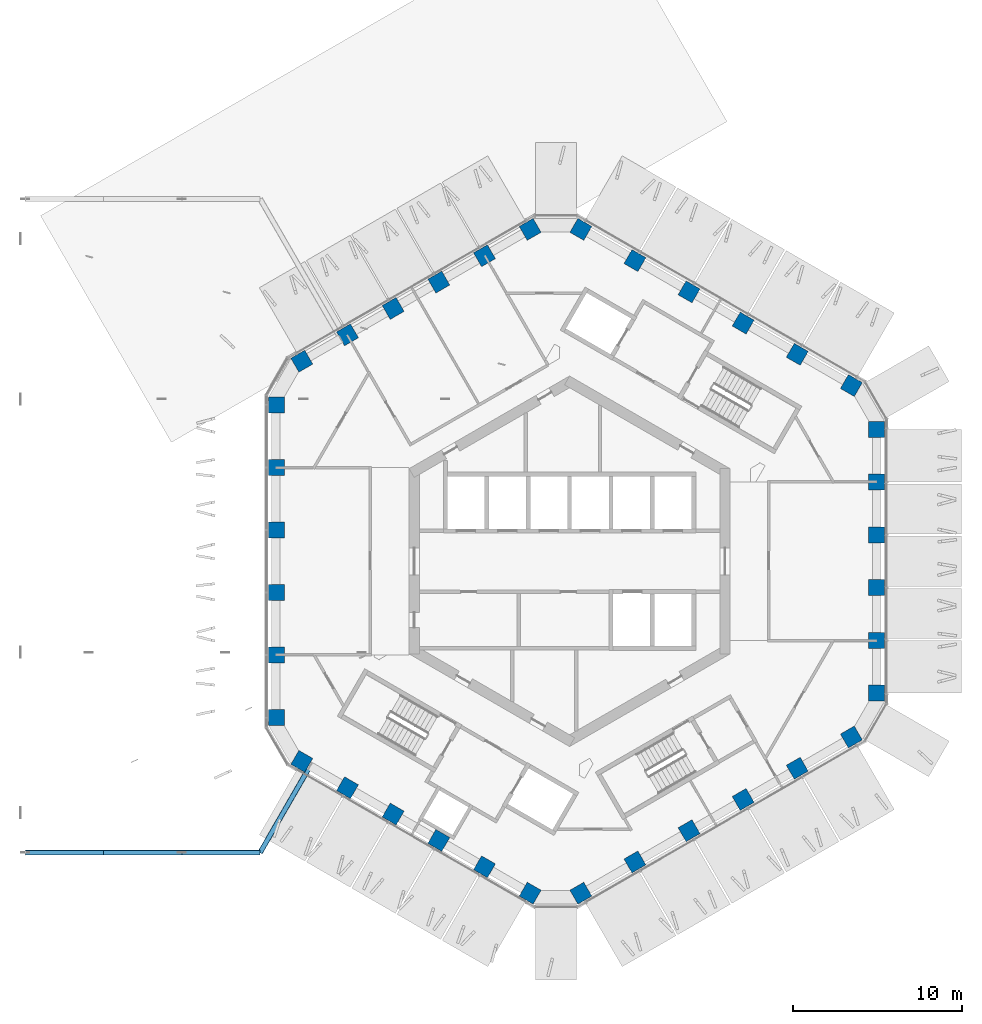
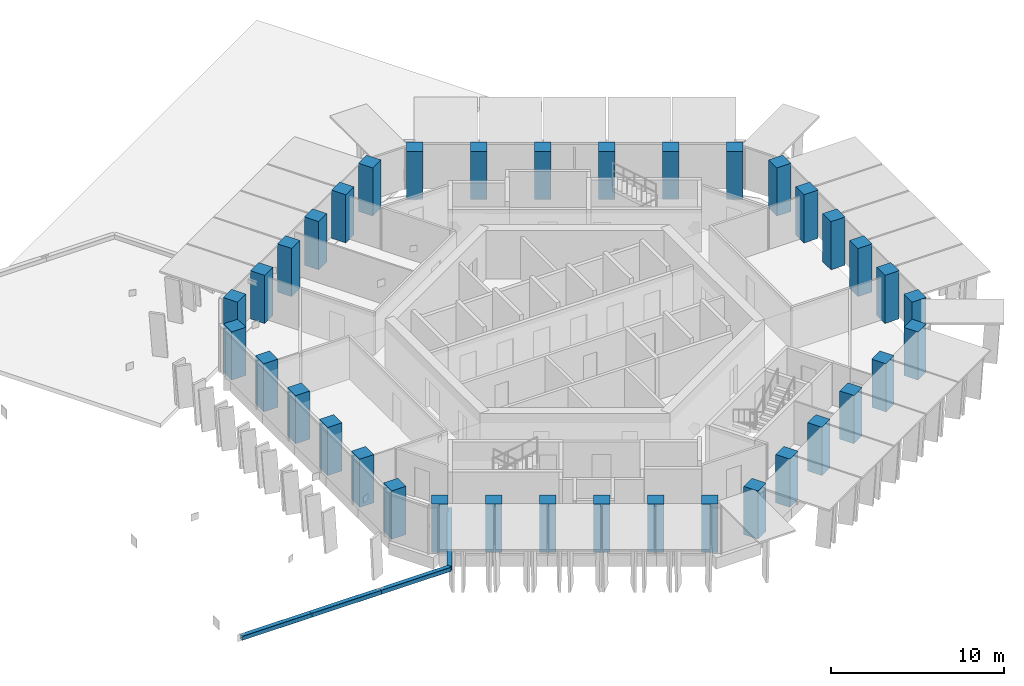
# One storey, part 1 of 23: 36 columns, 4 members.
"""IFC4 building model written with IfcOpenShell, lengths in metres."""

import ifcopenshell
import ifcopenshell.guid

model = None  # the IFC model being written
_history = None  # IfcOwnerHistory: only IFC2X3 demands one
_inside = {}  # id of a spatial element -> (the spatial element, [elements in it])
_under = {}  # id of a project, library or spatial element -> (it, [spatial elements below it])
_declared = {}  # id of a project -> (the project, [libraries it declares])
_typed = {}  # id of a type object -> (the type object, [elements of that type])
_made_of = {}  # id of a material, layer set ... -> (it, [elements and type objects made of it])


def new_model(schema):
    """Start an empty IFC model of exactly this schema.

    Asked for "IFC4X3", IfcOpenShell would pick the latest addendum, in which some entities
    have other attributes; the version numbers below select the first issue.
    IFC2X3 requires an IfcOwnerHistory on every rooted entity: one is made here for all.
    """
    global model, _history
    if schema == "IFC4X3":
        model = ifcopenshell.file(schema_version=(4, 3, 0, 0))
    else:
        model = ifcopenshell.file(schema=schema)
    _inside.clear()
    _under.clear()
    _declared.clear()
    _typed.clear()
    _made_of.clear()
    _history = None
    if model.schema == "IFC2X3":
        org = make("IfcOrganization", Name="unknown")
        user = make(
            "IfcPersonAndOrganization",
            ThePerson=make("IfcPerson", FamilyName="unknown"),
            TheOrganization=org,
        )
        app = make(
            "IfcApplication",
            ApplicationDeveloper=org,
            Version="unknown",
            ApplicationFullName="unknown",
            ApplicationIdentifier="unknown",
        )
        _history = make(
            "IfcOwnerHistory",
            OwningUser=user,
            OwningApplication=app,
            ChangeAction="ADDED",
            CreationDate=0,
        )
    return model


def make(cls, **values):
    """One entity of the class cls with the attributes given. An attribute that is None is left unset."""
    return model.create_entity(
        cls, **{name: value for name, value in values.items() if value is not None}
    )


def rooted(cls, **values):
    """An entity with a GlobalId (a new one), such as an element, a storey or a relation."""
    return make(cls, GlobalId=ifcopenshell.guid.new(), OwnerHistory=_history, **values)


def si_unit(unit_type, name, prefix=None):
    """IfcSIUnit, for example si_unit("LENGTHUNIT", "METRE", prefix="MILLI")."""
    return make("IfcSIUnit", UnitType=unit_type, Prefix=prefix, Name=name)


def assignment(units):
    """IfcUnitAssignment: the units of a project."""
    return None if units is None else make("IfcUnitAssignment", Units=units)


def point(xyz):
    """IfcCartesianPoint."""
    return None if xyz is None else make("IfcCartesianPoint", Coordinates=xyz)


def direction(xyz):
    """IfcDirection."""
    return None if xyz is None else make("IfcDirection", DirectionRatios=xyz)


def frame(location, z_axis=None, x_axis=None):
    """IfcAxis2Placement3D, a coordinate frame: its origin and axes. An axis left out is left unset."""
    return make(
        "IfcAxis2Placement3D",
        Location=point(location),
        Axis=direction(z_axis),
        RefDirection=direction(x_axis),
    )


def frame_2d(location, x_axis=None):
    """IfcAxis2Placement2D, a coordinate frame in the plane: its origin and x axis."""
    return make(
        "IfcAxis2Placement2D", Location=point(location), RefDirection=direction(x_axis)
    )


def origin():
    """The frame at (0, 0, 0) with its axes left unset."""
    return frame((0.0, 0.0, 0.0))


def origin_2d():
    """The frame at (0, 0) in the plane with its x axis left unset."""
    return frame_2d((0.0, 0.0))


def place(relative_to, where):
    """IfcLocalPlacement: puts the frame where relative to a parent placement (None: the world)."""
    return make(
        "IfcLocalPlacement", PlacementRelTo=relative_to, RelativePlacement=where
    )


def context(
    kind, dimensions, precision=None, world=None, true_north=None, identifier=None
):
    """IfcGeometricRepresentationContext, for example the 3D "Model" context."""
    return make(
        "IfcGeometricRepresentationContext",
        ContextIdentifier=identifier,
        ContextType=kind,
        CoordinateSpaceDimension=dimensions,
        Precision=precision,
        WorldCoordinateSystem=world,
        TrueNorth=true_north,
    )


def subcontext(parent, identifier, kind, view, scale=None):
    """IfcGeometricRepresentationSubContext, for example "Body" below "Model"."""
    return make(
        "IfcGeometricRepresentationSubContext",
        ContextIdentifier=identifier,
        ContextType=kind,
        ParentContext=parent,
        TargetScale=scale,
        TargetView=view,
    )


def project(units=None, contexts=None):
    """IfcProject with its units and contexts."""
    return rooted(
        "IfcProject",
        Name="project",
        RepresentationContexts=contexts,
        UnitsInContext=assignment(units),
    )


def spatial(cls, under=None, at=None, **own):
    """A site, building, storey or space (cls), placed at a placement, below another one or the project."""
    s = rooted(cls, ObjectPlacement=at, **own)
    if under is not None:
        _under.setdefault(under.id(), (under, []))[1].append(s)
    return s


def profile(cls, at=None, kind="AREA", **sizes):
    """A parametric profile (cls). Its sizes go by their IFC names, for example OverallWidth=200.0."""
    return make(cls, ProfileType=kind, Position=at, **sizes)


def rectangle(**sizes):
    """IfcRectangleProfileDef."""
    return profile("IfcRectangleProfileDef", **sizes)


def hollow_rectangle(**sizes):
    """IfcRectangleHollowProfileDef."""
    return profile("IfcRectangleHollowProfileDef", **sizes)


def extrude(swept, where, along, depth):
    """IfcExtrudedAreaSolid: the profile swept, set in the frame where, extruded along a direction by depth."""
    return make(
        "IfcExtrudedAreaSolid",
        SweptArea=swept,
        Position=where,
        ExtrudedDirection=direction(along),
        Depth=depth,
    )


def shape(context_of_items, identifier, shape_type, items):
    """IfcShapeRepresentation: the items that make up one representation, for example the "Body"."""
    return make(
        "IfcShapeRepresentation",
        ContextOfItems=context_of_items,
        RepresentationIdentifier=identifier,
        RepresentationType=shape_type,
        Items=items,
    )


def material(Name=None, Category=None):
    """IfcMaterial."""
    return make("IfcMaterial", Name=Name, Category=Category)


def material_profile(
    of_material, cross_section, Name=None, Category=None, Priority=None
):
    """IfcMaterialProfile: a cross section and its material."""
    return make(
        "IfcMaterialProfile",
        Name=Name,
        Material=of_material,
        Profile=cross_section,
        Priority=Priority,
        Category=Category,
    )


def profile_set(profiles, Name=None, composite=None):
    """IfcMaterialProfileSet."""
    return make(
        "IfcMaterialProfileSet",
        Name=Name,
        MaterialProfiles=profiles,
        CompositeProfile=composite,
    )


def made_of(thing, what):
    """Note that an element or type object is made of a material, layer set ...; save() writes the relation."""
    if what is not None:
        _made_of.setdefault(what.id(), (what, []))[1].append(thing)
    return thing


def type_object(cls, material=None, **own):
    """A type object (cls), such as IfcWallType, which elements share."""
    return made_of(rooted(cls, **own), material)


def element(
    cls,
    number,
    at=None,
    inside=None,
    cuts=None,
    type_object=None,
    material=None,
    context=None,
    identifier="Body",
    shape_type=None,
    held_by="IfcProductDefinitionShape",
    body=None,
    shapes=None,
    **own,
):
    """One element of the class cls, such as IfcWall. Its Tag is "e" and its number.

    at: its placement. inside: the storey or other place that contains it. cuts: it is an
    opening in that element (IfcRelVoidsElement). A single representation is given by context,
    identifier, shape_type and body (its items); several are given by shapes. held_by: the class
    of the entity that holds the representations. save() writes the other relations.
    """
    e = rooted(cls, Tag="e%d" % number, ObjectPlacement=at, **own)
    if body is not None:
        shapes = [shape(context, identifier, shape_type, body)]
    if shapes is not None:
        e.Representation = make(held_by, Representations=shapes)
    if inside is not None:
        _inside.setdefault(inside.id(), (inside, []))[1].append(e)
    if cuts is not None:
        rooted(
            "IfcRelVoidsElement", RelatingBuildingElement=cuts, RelatedOpeningElement=e
        )
    if type_object is not None:
        _typed.setdefault(type_object.id(), (type_object, []))[1].append(e)
    return made_of(e, material)


def aggregate(whole, parts):
    """IfcRelAggregates: a whole, such as a stair, and the parts it consists of."""
    return rooted("IfcRelAggregates", RelatingObject=whole, RelatedObjects=parts)


def save(model, path):
    """Write the relations noted so far, then the file.

    IfcRelAggregates (storeys below a building ...), IfcRelContainedInSpatialStructure (elements
    in a storey), IfcRelDefinesByType, IfcRelAssociatesMaterial and IfcRelDeclares: one each for
    every whole, place, type object, material and project.
    """
    for whole, parts in _under.values():
        aggregate(whole, parts)
    for where, things in _inside.values():
        rooted(
            "IfcRelContainedInSpatialStructure",
            RelatedElements=things,
            RelatingStructure=where,
        )
    for kind, things in _typed.values():
        rooted("IfcRelDefinesByType", RelatedObjects=things, RelatingType=kind)
    for what, things in _made_of.values():
        rooted("IfcRelAssociatesMaterial", RelatedObjects=things, RelatingMaterial=what)
    for by, libraries in _declared.values():
        rooted("IfcRelDeclares", RelatingContext=by, RelatedDefinitions=libraries)
    model.write(path)


model = new_model("IFC4")

# Units and contexts
model_context = context("Model", 3, precision=1e-05, world=origin(), true_north=direction((0.0, 1.0)))
body_context = subcontext(model_context, "Body", "Model", "MODEL_VIEW")
ifc_project = project(units=[si_unit("LENGTHUNIT", "METRE"), si_unit("AREAUNIT", "SQUARE_METRE"), si_unit("VOLUMEUNIT", "CUBIC_METRE"), si_unit("PLANEANGLEUNIT", "RADIAN"), si_unit("MASSUNIT", "GRAM", prefix="KILO")], contexts=[model_context])

# Site, building, storey
site_placement = place(None, origin())
site = spatial("IfcSite", under=ifc_project, at=site_placement, CompositionType="ELEMENT")
building_placement = place(site_placement, origin())
building = spatial("IfcBuilding", under=site, at=building_placement, Name="Ayvan Gate Tower", CompositionType="ELEMENT")
storey_placement = place(building_placement, frame((0.0, 0.0, 198.699951171875)))
storey = spatial("IfcBuildingStorey", under=building, at=storey_placement, Name="L53", CompositionType="ELEMENT", Elevation=198.699951171875)

# Columns
ifc_material_1 = material(Name="Concrete C55/67", Category="concrete")
ifc_material_profile_1 = material_profile(ifc_material_1, rectangle(XDim=0.949951171875, YDim=0.949951171875, at=origin_2d()), Name="RC 950x950")
ifc_profile_set_1 = profile_set([ifc_material_profile_1], Name="Concrete C55/67")
column_type = type_object("IfcColumnType", Name="Tube column RC 950x950 C55/67", PredefinedType="COLUMN", material=ifc_profile_set_1)
for number, where, z_axis, x_axis, name in (
    (1, (18.1865234375, -7.806640625, 0.0), (0.0, 0.0, 1.0), (1.0, 0.0, 0.0), "C-T0-0-L53"),
    (2, (18.1865234375, -4.683837890625, 0.0), (0.0, 0.0, 1.0), (1.0, 0.0, 0.0), "C-T0-1-L53"),
    (3, (18.1865234375, -1.561279296875, 0.0), (0.0, 0.0, 1.0), (1.0, 0.0, 0.0), "C-T0-2-L53"),
    (4, (18.1865234375, 1.561279296875, 0.0), (0.0, 0.0, 1.0), (1.0, 0.0, 0.0), "C-T0-3-L53"),
    (5, (18.1865234375, 4.683837890625, 0.0), (0.0, 0.0, 1.0), (1.0, 0.0, 0.0), "C-T0-4-L53"),
    (6, (18.1865234375, 7.806640625, 0.0), (0.0, 0.0, 1.0), (1.0, 0.0, 0.0), "C-T0-5-L53"),
    (7, (16.6865234375, 10.404541015625, 0.0), (0.0, 0.0, 1.0), (0.5, 0.866025403784, 0.0), "C-T1-0-L53"),
    (8, (13.482666015625, 12.25439453125, 0.0), (0.0, 0.0, 1.0), (0.5, 0.866025403784, 0.0), "C-T1-1-L53"),
    (9, (10.27880859375, 14.10400390625, 0.0), (0.0, 0.0, 1.0), (0.5, 0.866025403784, 0.0), "C-T1-2-L53"),
    (10, (7.074951171875, 15.953857421875, 0.0), (0.0, 0.0, 1.0), (0.5, 0.866025403784, 0.0), "C-T1-3-L53"),
    (11, (3.871337890625, 17.803466796875, 0.0), (0.0, 0.0, 1.0), (0.5, 0.866025403784, 0.0), "C-T1-4-L53"),
    (12, (0.66748046875, 19.6533203125, 0.0), (0.0, 0.0, 1.0), (0.5, 0.866025403784, 0.0), "C-T1-5-L53"),
    (13, (-2.33251953125, 19.6533203125, 0.0), (0.0, 0.0, 1.0), (-0.5, 0.866025403784, 0.0), "C-T2-0-L53"),
    (14, (-5.036865234375, 18.092041015625, 0.0), (0.0, 0.0, 1.0), (-0.5, 0.866025403784, 0.0), "C-T2-1-L53"),
    (15, (-7.7412109375, 16.53076171875, 0.0), (0.0, 0.0, 1.0), (-0.5, 0.866025403784, 0.0), "C-T2-2-L53"),
    (16, (-10.4453125, 14.96923828125, 0.0), (0.0, 0.0, 1.0), (-0.5, 0.866025403784, 0.0), "C-T2-3-L53"),
    (17, (-13.149658203125, 13.407958984375, 0.0), (0.0, 0.0, 1.0), (-0.5, 0.866025403784, 0.0), "C-T2-4-L53"),
    (18, (-15.85400390625, 11.8466796875, 0.0), (0.0, 0.0, 1.0), (-0.5, 0.866025403784, 0.0), "C-T2-5-L53"),
    (19, (-17.35400390625, 9.24853515625, 0.0), (0.0, 0.0, 1.0), (-1.0, 0.0, 0.0), "C-T3-0-L53"),
    (20, (-17.35400390625, 5.549072265625, 0.0), (0.0, 0.0, 1.0), (-1.0, 0.0, 0.0), "C-T3-1-L53"),
    (21, (-17.35400390625, 1.849609375, 0.0), (0.0, 0.0, 1.0), (-1.0, 0.0, 0.0), "C-T3-2-L53"),
    (22, (-17.35400390625, -1.849609375, 0.0), (0.0, 0.0, 1.0), (-1.0, 0.0, 0.0), "C-T3-3-L53"),
    (23, (-17.35400390625, -5.549072265625, 0.0), (0.0, 0.0, 1.0), (-1.0, 0.0, 0.0), "C-T3-4-L53"),
    (24, (-17.35400390625, -9.24853515625, 0.0), (0.0, 0.0, 1.0), (-1.0, 0.0, 0.0), "C-T3-5-L53"),
    (25, (-15.85400390625, -11.8466796875, 0.0), (0.0, 0.0, 1.0), (-0.5, -0.866025403784, 0.0), "C-T4-0-L53"),
    (26, (-13.149658203125, -13.407958984375, 0.0), (0.0, 0.0, 1.0), (-0.5, -0.866025403784, 0.0), "C-T4-1-L53"),
    (27, (-10.4453125, -14.96923828125, 0.0), (0.0, 0.0, 1.0), (-0.5, -0.866025403784, 0.0), "C-T4-2-L53"),
    (28, (-7.7412109375, -16.53076171875, 0.0), (0.0, 0.0, 1.0), (-0.5, -0.866025403784, 0.0), "C-T4-3-L53"),
    (29, (-5.036865234375, -18.092041015625, 0.0), (0.0, 0.0, 1.0), (-0.5, -0.866025403784, 0.0), "C-T4-4-L53"),
    (30, (-2.33251953125, -19.6533203125, 0.0), (0.0, 0.0, 1.0), (-0.5, -0.866025403784, 0.0), "C-T4-5-L53"),
    (31, (0.66748046875, -19.6533203125, 0.0), (0.0, 0.0, 1.0), (0.5, -0.866025403784, 0.0), "C-T5-0-L53"),
    (32, (3.871337890625, -17.803466796875, 0.0), (0.0, 0.0, 1.0), (0.5, -0.866025403784, 0.0), "C-T5-1-L53"),
    (33, (7.074951171875, -15.953857421875, 0.0), (0.0, 0.0, 1.0), (0.5, -0.866025403784, 0.0), "C-T5-2-L53"),
    (34, (10.27880859375, -14.10400390625, 0.0), (0.0, 0.0, 1.0), (0.5, -0.866025403784, 0.0), "C-T5-3-L53"),
    (35, (13.482666015625, -12.25439453125, 0.0), (0.0, 0.0, 1.0), (0.5, -0.866025403784, 0.0), "C-T5-4-L53"),
    (36, (16.6865234375, -10.404541015625, 0.0), (0.0, 0.0, 1.0), (0.5, -0.866025403784, 0.0), "C-T5-5-L53"),
):
    element("IfcColumn", number, at=place(storey_placement, frame(where, z_axis=z_axis, x_axis=x_axis)), inside=storey, type_object=column_type, Name=name, PredefinedType="COLUMN", context=body_context, shape_type="SweptSolid", body=[
        extrude(rectangle(XDim=0.949951171875, YDim=0.949951171875, at=origin_2d()), origin(), (0.0, 0.0, 1.0), 3.400146484375),
    ])

# Members
ifc_material_2 = material(Name="Steel S460NH", Category="steel")
ifc_material_profile_2 = material_profile(ifc_material_2, hollow_rectangle(XDim=0.300048828125, YDim=0.300048828125, WallThickness=0.01611328125, InnerFilletRadius=0.01611328125, OuterFilletRadius=0.02392578125, at=origin_2d()), Name="RHS 300x300x16")
ifc_profile_set_2 = profile_set([ifc_material_profile_2], Name="Steel S460NH")
member_type = type_object("IfcMemberType", Name="Sky bar truss brace B5 RHS 300x300x16", PredefinedType="BRACE", material=ifc_profile_set_2)
member_1_placement = place(storey_placement, frame((-15.36474609375, -12.129150390625, 2.699951171875), z_axis=(-0.500016430238, -0.866015917575, 0.0), x_axis=(0.866015917575, -0.500016430238, 0.0)))
element("IfcMember", 37, at=member_1_placement, inside=storey, type_object=member_type, Name="SBX5-A-BC-1", PredefinedType="CHORD", context=body_context, shape_type="SweptSolid", body=[
    extrude(hollow_rectangle(XDim=0.300048828125, YDim=0.300048828125, WallThickness=0.01611328125, InnerFilletRadius=0.01611328125, OuterFilletRadius=0.02392578125, at=origin_2d()), origin(), (0.0, 0.0, 1.0), 5.918701171875),
])
for number, where, z_axis, x_axis, name in (
    (38, (-18.32421875, -17.2548828125, 2.699951171875), (-1.0, 0.0, 0.0), (0.0, -1.0, 0.0), "SBX5-A-BC-2"),
    (39, (-22.95751953125, -17.2548828125, 2.699951171875), (-1.0, 0.0, 0.0), (0.0, -1.0, 0.0), "SBX5-A-BC-3"),
):
    element("IfcMember", number, at=place(storey_placement, frame(where, z_axis=z_axis, x_axis=x_axis)), inside=storey, type_object=member_type, Name=name, PredefinedType="CHORD", context=body_context, shape_type="SweptSolid", body=[
        extrude(hollow_rectangle(XDim=0.300048828125, YDim=0.300048828125, WallThickness=0.01611328125, InnerFilletRadius=0.01611328125, OuterFilletRadius=0.02392578125, at=origin_2d()), origin(), (0.0, 0.0, 1.0), 4.63330078125),
    ])
member_2_placement = place(storey_placement, frame((-27.5908203125, -17.2548828125, 2.699951171875), z_axis=(-1.0, 0.0, 0.0), x_axis=(0.0, -1.0, 0.0)))
element("IfcMember", 40, at=member_2_placement, inside=storey, type_object=member_type, Name="SBX5-A-BC-4", PredefinedType="CHORD", context=body_context, shape_type="SweptSolid", body=[
    extrude(hollow_rectangle(XDim=0.300048828125, YDim=0.300048828125, WallThickness=0.01611328125, InnerFilletRadius=0.01611328125, OuterFilletRadius=0.02392578125, at=origin_2d()), origin(), (0.0, 0.0, 1.0), 4.633544921875),
])

save(model, "model.ifc")
